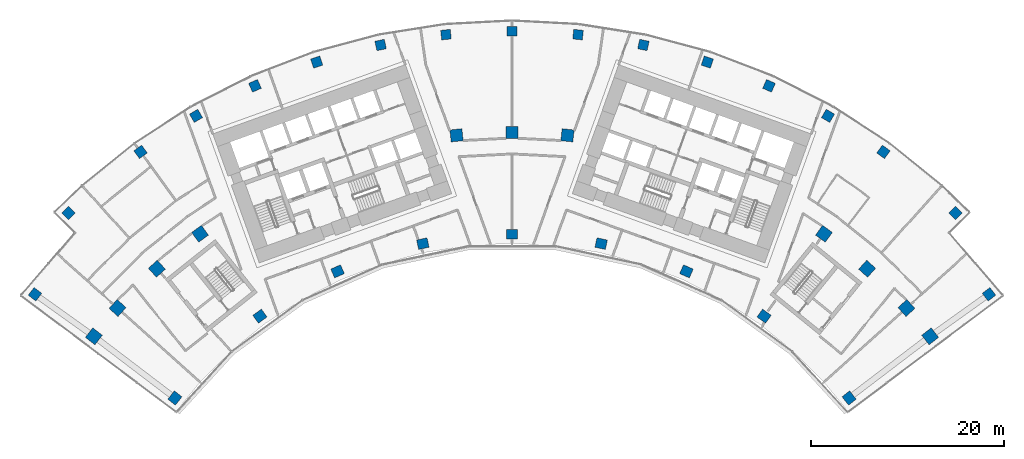
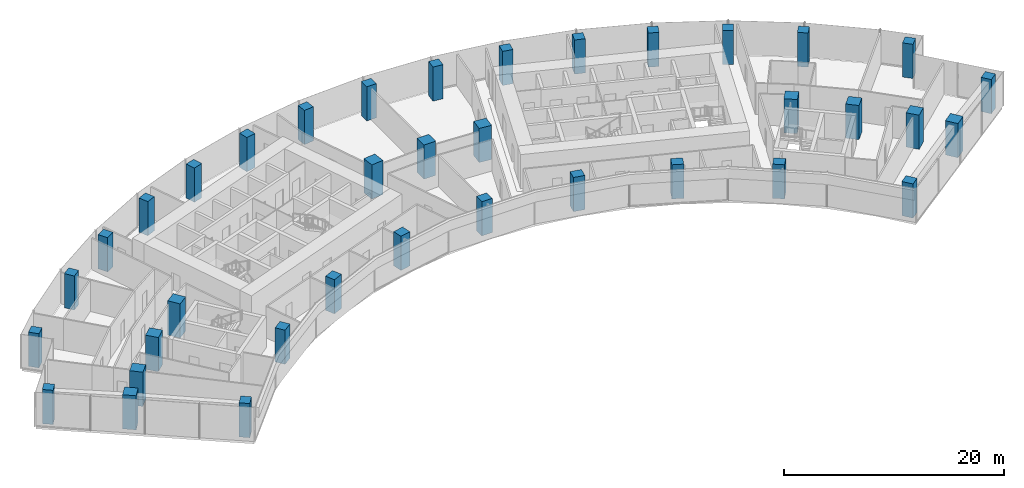
# One storey, part 1 of 21: 37 columns.
"""IFC4 building model written with IfcOpenShell, lengths in metres."""

from ifc_helpers import new_model, si_unit, direction, frame, origin, origin_2d, place, context, subcontext, project, spatial, rectangle, extrude, material, material_profile, profile_set, type_object, element, save


model = new_model("IFC4")

# Units and contexts
model_context = context("Model", 3, precision=1e-05, world=origin(), true_north=direction((0.0, 1.0)))
body_context = subcontext(model_context, "Body", "Model", "MODEL_VIEW")
ifc_project = project(units=[si_unit("LENGTHUNIT", "METRE"), si_unit("AREAUNIT", "SQUARE_METRE"), si_unit("VOLUMEUNIT", "CUBIC_METRE"), si_unit("PLANEANGLEUNIT", "RADIAN"), si_unit("MASSUNIT", "GRAM", prefix="KILO")], contexts=[model_context])

# Site, building, storey
site_placement = place(None, origin())
site = spatial("IfcSite", under=ifc_project, at=site_placement, CompositionType="ELEMENT")
building_placement = place(site_placement, origin())
building = spatial("IfcBuilding", under=site, at=building_placement, Name="Stone Belt Terrace Tower", CompositionType="ELEMENT")
storey_placement = place(building_placement, frame((0.0, 0.0, 151.60009765625)))
storey = spatial("IfcBuildingStorey", under=building, at=storey_placement, Name="L36", CompositionType="ELEMENT", Elevation=151.60009765625)

# Columns
ifc_material = material(Name="Concrete B80", Category="concrete")
ifc_material_profile_1 = material_profile(ifc_material, rectangle(XDim=1.0, YDim=1.0, at=origin_2d()), Name="RC 1000x1000")
ifc_profile_set_1 = profile_set([ifc_material_profile_1], Name="Concrete B80")
column_type_1 = type_object("IfcColumnType", Name="Column RC 1000x1000 B80", PredefinedType="COLUMN", material=ifc_profile_set_1)
for number, where, z_axis, x_axis, name in (
    (1, (-49.432861328125, 38.226318359375, 0.0), (0.0, 0.0, 1.0), (0.611730019057, 0.791066611472, 0.0), "Column L36 RA"),
    (2, (49.432861328125, 38.226318359375, 0.0), (0.0, 0.0, 1.0), (0.611730019057, -0.791066611472, 0.0), "Column L36 RB"),
    (3, (-45.95849609375, 46.654296875, 0.0), (0.0, 0.0, 1.0), (0.712398494182, 0.701775167334, 0.0), "Column L36 RNA"),
    (4, (-38.493408203125, 52.981689453125, 0.0), (0.0, 0.0, 1.0), (0.809016994375, 0.587785252292, 0.0), "Column L36 R16"),
    (5, (-32.744384765625, 56.715087890625, 0.0), (0.0, 0.0, 1.0), (0.866025403784, 0.5, 0.0), "Column L36 R17"),
    (6, (-26.63671875, 59.8271484375, 0.0), (0.0, 0.0, 1.0), (0.913545457643, 0.406736643076, 0.0), "Column L36 R18"),
    (7, (-20.2373046875, 62.28369140625, 0.0), (0.0, 0.0, 1.0), (0.951056516295, 0.309016994375, 0.0), "Column L36 R19"),
    (8, (-13.615966796875, 64.057861328125, 0.0), (0.0, 0.0, 1.0), (0.978147600734, 0.207911690818, 0.0), "Column L36 R20"),
    (9, (-6.845458984375, 65.130126953125, 0.0), (0.0, 0.0, 1.0), (0.994521895368, 0.104528463268, 0.0), "Column L36 R21"),
    (10, (0.0, 65.489013671875, 0.0), (0.0, 0.0, 1.0), (1.0, 0.0, 0.0), "Column L36 R22"),
    (11, (6.845458984375, 65.130126953125, 0.0), (0.0, 0.0, 1.0), (0.994521895368, -0.104528463268, 0.0), "Column L36 R23"),
    (12, (13.615966796875, 64.057861328125, 0.0), (0.0, 0.0, 1.0), (0.978147600734, -0.207911690818, 0.0), "Column L36 R24"),
    (13, (20.2373046875, 62.28369140625, 0.0), (0.0, 0.0, 1.0), (0.951056516295, -0.309016994375, 0.0), "Column L36 R25"),
    (14, (26.63671875, 59.8271484375, 0.0), (0.0, 0.0, 1.0), (0.913545457643, -0.406736643076, 0.0), "Column L36 R26"),
    (15, (32.744384765625, 56.715087890625, 0.0), (0.0, 0.0, 1.0), (0.866025403784, -0.5, 0.0), "Column L36 R27"),
    (16, (38.493408203125, 52.981689453125, 0.0), (0.0, 0.0, 1.0), (0.809016994375, -0.587785252292, 0.0), "Column L36 R28"),
    (17, (45.95849609375, 46.654296875, 0.0), (0.0, 0.0, 1.0), (0.712398494182, -0.701775167334, 0.0), "Column L36 RNB"),
):
    element("IfcColumn", number, at=place(storey_placement, frame(where, z_axis=z_axis, x_axis=x_axis)), inside=storey, type_object=column_type_1, Name=name, PredefinedType="COLUMN", context=body_context, shape_type="SweptSolid", body=[
        extrude(rectangle(XDim=1.0, YDim=1.0, at=origin_2d()), origin(), (0.0, 0.0, 1.0), 3.7998046875),
    ])
ifc_material_profile_2 = material_profile(ifc_material, rectangle(XDim=1.10009765625, YDim=1.0, at=origin_2d()), Name="RC 1100x1000")
ifc_profile_set_2 = profile_set([ifc_material_profile_2], Name="Concrete B80")
column_type_2 = type_object("IfcColumnType", Name="Column RC 1100x1000 B80", PredefinedType="COLUMN", material=ifc_profile_set_2)
for number, where, z_axis, x_axis, name in (
    (18, (-34.93408203125, 27.476806640625, 0.0), (0.0, 0.0, 1.0), (0.618217727677, 0.786006896399, 0.0), "Column L36 PA"),
    (19, (-26.1240234375, 35.956787109375, 0.0), (0.0, 0.0, 1.0), (0.809016994375, 0.587785252292, 0.0), "Column L36 P16"),
    (20, (-18.077392578125, 40.6025390625, 0.0), (0.0, 0.0, 1.0), (0.913545457643, 0.406736643076, 0.0), "Column L36 P18"),
    (21, (-9.240478515625, 43.473876953125, 0.0), (0.0, 0.0, 1.0), (0.978147600734, 0.207911690818, 0.0), "Column L36 P20"),
    (22, (0.0, 44.445068359375, 0.0), (0.0, 0.0, 1.0), (1.0, 0.0, 0.0), "Column L36 P22"),
    (23, (9.240478515625, 43.473876953125, 0.0), (0.0, 0.0, 1.0), (0.978147600734, -0.207911690818, 0.0), "Column L36 P24"),
    (24, (18.077392578125, 40.6025390625, 0.0), (0.0, 0.0, 1.0), (0.913545457643, -0.406736643076, 0.0), "Column L36 P26"),
    (25, (26.1240234375, 35.956787109375, 0.0), (0.0, 0.0, 1.0), (0.809016994375, -0.587785252292, 0.0), "Column L36 P28"),
    (26, (34.93408203125, 27.476806640625, 0.0), (0.0, 0.0, 1.0), (0.618217727677, -0.786006896399, 0.0), "Column L36 PB"),
):
    element("IfcColumn", number, at=place(storey_placement, frame(where, z_axis=z_axis, x_axis=x_axis)), inside=storey, type_object=column_type_2, Name=name, PredefinedType="COLUMN", context=body_context, shape_type="SweptSolid", body=[
        extrude(rectangle(XDim=1.10009765625, YDim=1.0, at=origin_2d()), origin(), (0.0, 0.0, 1.0), 3.7998046875),
    ])
ifc_material_profile_3 = material_profile(ifc_material, rectangle(XDim=1.25, YDim=1.25, at=origin_2d()), Name="RC 1250x1250")
ifc_profile_set_3 = profile_set([ifc_material_profile_3], Name="Concrete B80")
column_type_3 = type_object("IfcColumnType", Name="Column RC 1250x1250 B80", PredefinedType="COLUMN", material=ifc_profile_set_3)
for number, where, z_axis, x_axis, name in (
    (27, (-43.33349609375, 33.870361328125, 0.0), (0.0, 0.0, 1.0), (0.615825127294, 0.787882867306, 0.0), "Column L36 QA"),
    (28, (-40.873046875, 36.80224609375, 0.0), (0.0, 0.0, 1.0), (0.669130606359, 0.743144825477, 0.0), "Column L36 Q14"),
    (29, (-36.80224609375, 40.873046875, 0.0), (0.0, 0.0, 1.0), (0.743144825477, 0.669130606359, 0.0), "Column L36 Q15"),
    (30, (-32.328125, 44.495849609375, 0.0), (0.0, 0.0, 1.0), (0.809016994375, 0.587785252292, 0.0), "Column L36 Q16"),
    (31, (-5.7490234375, 54.69873046875, 0.0), (0.0, 0.0, 1.0), (0.994521895368, 0.104528463268, 0.0), "Column L36 Q21"),
    (32, (0.0, 55.0, 0.0), (0.0, 0.0, 1.0), (1.0, 0.0, 0.0), "Column L36 Q22"),
    (33, (5.7490234375, 54.69873046875, 0.0), (0.0, 0.0, 1.0), (0.994521895368, -0.104528463268, 0.0), "Column L36 Q23"),
    (34, (32.328125, 44.495849609375, 0.0), (0.0, 0.0, 1.0), (0.809016994375, -0.587785252292, 0.0), "Column L36 Q28"),
    (35, (36.80224609375, 40.873046875, 0.0), (0.0, 0.0, 1.0), (0.743144825477, -0.669130606359, 0.0), "Column L36 Q29"),
    (36, (40.873046875, 36.80224609375, 0.0), (0.0, 0.0, 1.0), (0.669130606359, -0.743144825477, 0.0), "Column L36 Q30"),
    (37, (43.33349609375, 33.870361328125, 0.0), (0.0, 0.0, 1.0), (0.615825127294, -0.787882867306, 0.0), "Column L36 QB"),
):
    element("IfcColumn", number, at=place(storey_placement, frame(where, z_axis=z_axis, x_axis=x_axis)), inside=storey, type_object=column_type_3, Name=name, PredefinedType="COLUMN", context=body_context, shape_type="SweptSolid", body=[
        extrude(rectangle(XDim=1.25, YDim=1.25, at=origin_2d()), origin(), (0.0, 0.0, 1.0), 3.7998046875),
    ])

save(model, "model.ifc")
